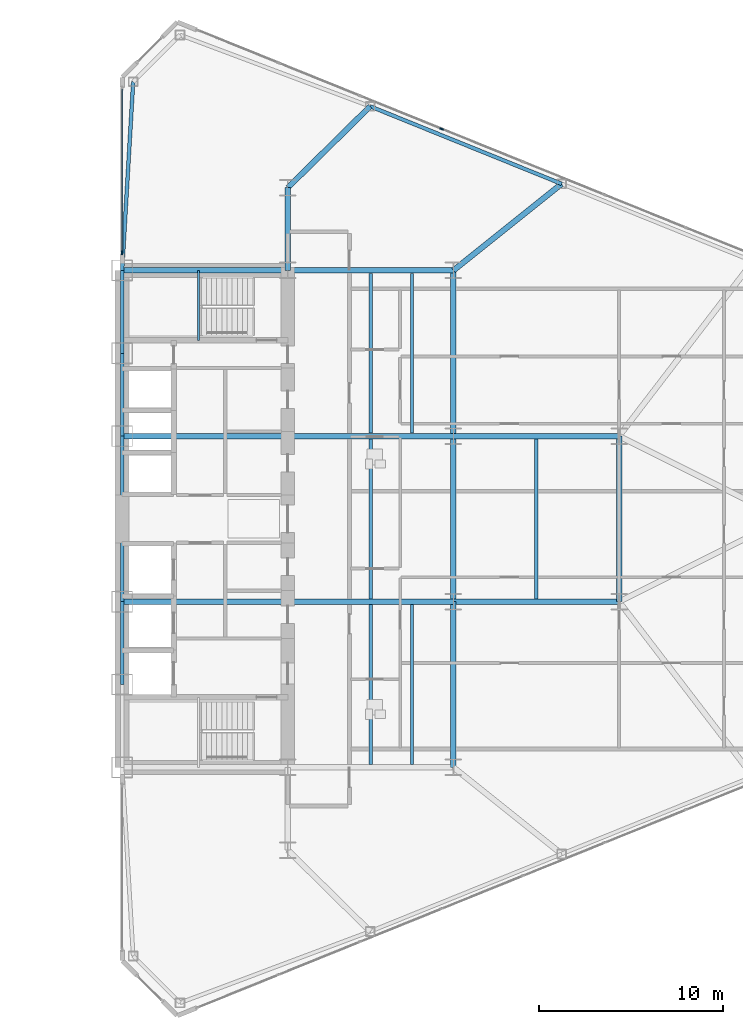
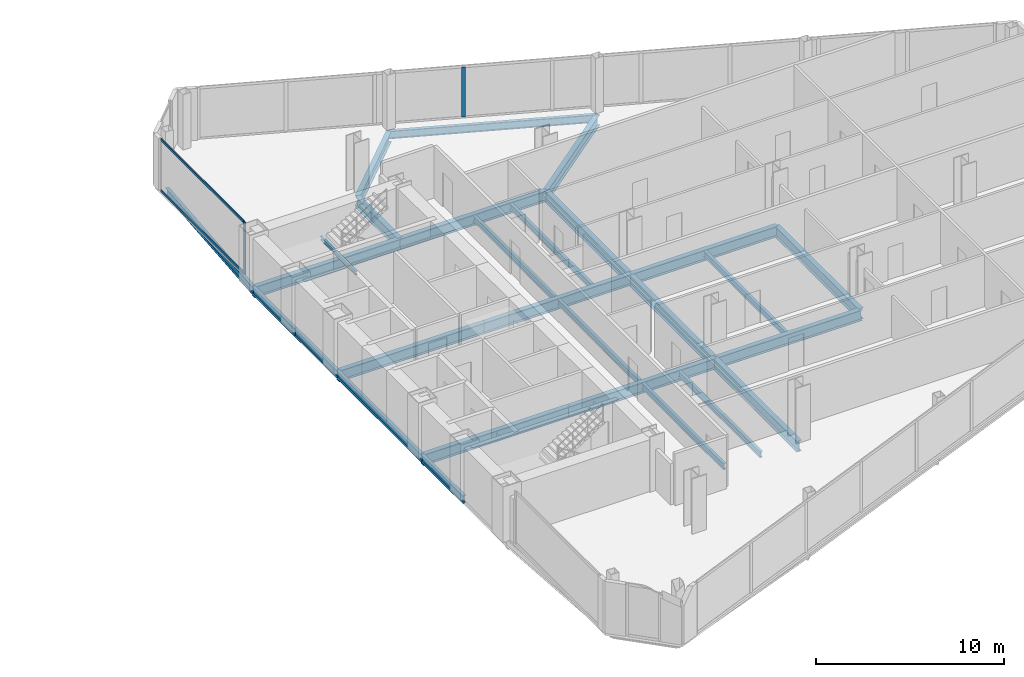
# One storey, part 11 of 25: 28 beams, 4 members, 2 elements without a shape of their own.
"""IFC4 building model written with IfcOpenShell, lengths in metres."""

from ifc_helpers import new_model, si_unit, direction, frame, origin, origin_2d, place, context, subcontext, project, spatial, rectangle, i_section, extrude, source, transform, mapped, material, layer, layer_set, material_profile, profile_set, type_object, type_shapes, element, aggregate, save


model = new_model("IFC4")

# Units and contexts
model_context = context("Model", 3, precision=1e-05, world=origin(), true_north=direction((0.0, 1.0)))
body_context = subcontext(model_context, "Body", "Model", "MODEL_VIEW")
ifc_project = project(units=[si_unit("LENGTHUNIT", "METRE"), si_unit("AREAUNIT", "SQUARE_METRE"), si_unit("VOLUMEUNIT", "CUBIC_METRE"), si_unit("PLANEANGLEUNIT", "RADIAN"), si_unit("MASSUNIT", "GRAM", prefix="KILO")], contexts=[model_context])

# Site, building, storey
site_placement = place(None, origin())
site = spatial("IfcSite", under=ifc_project, at=site_placement, CompositionType="ELEMENT")
building_placement = place(site_placement, origin())
building = spatial("IfcBuilding", under=site, at=building_placement, Name="Seokmaru Belvedere", CompositionType="ELEMENT")
storey_placement = place(building_placement, frame((0.0, 0.0, 51.300048828125)))
storey = spatial("IfcBuildingStorey", under=building, at=storey_placement, Name="L13", CompositionType="ELEMENT", Elevation=51.300048828125)

# Beams
ifc_material_1 = material(Name="Steel SM355 (355 MPa)", Category="steel")
ifc_material_profile_1 = material_profile(ifc_material_1, i_section(OverallWidth=0.199951171875, OverallDepth=0.5, WebThickness=0.010009765625, FlangeThickness=0.01611328125, at=origin_2d()), Name="H-500x200x10x16")
ifc_profile_set_1 = profile_set([ifc_material_profile_1], Name="Steel SM355 (355 MPa)")
beam_type_1 = type_object("IfcBeamType", Name="Perimeter Spandrel Beam H-500", PredefinedType="SPANDREL", material=ifc_profile_set_1)
shared_shape_1 = source(origin(), body_context, "Body", "SweptSolid", [
    extrude(i_section(OverallWidth=0.199951171875, OverallDepth=0.5, WebThickness=0.010009765625, FlangeThickness=0.01611328125, at=origin_2d()), origin(), (0.0, 0.0, 1.0), 4.5),
])
for number, where, z_axis, x_axis, name in (
    (1, (27.5, -9.0, -0.469970703125), (0.0, 1.0, 0.0), (-1.0, 0.0, 0.0), "L13 E Portal Spine Spandrel 2"),
    (2, (27.5, 4.5, -0.469970703125), (0.0, 1.0, 0.0), (-1.0, 0.0, 0.0), "L13 E Portal Spine Spandrel 4"),
    (3, (27.5, 9.0, -0.469970703125), (0.0, 1.0, 0.0), (-1.0, 0.0, 0.0), "L13 E Portal Spine Spandrel 5"),
):
    element("IfcBeam", number, at=place(storey_placement, frame(where, z_axis=z_axis, x_axis=x_axis)), inside=storey, type_object=beam_type_1, Name=name, PredefinedType="SPANDREL", context=body_context, shape_type="MappedRepresentation", body=[
        mapped(shared_shape_1, transform((0.0, 0.0, 0.0), scale=1.0)),
    ])
shared_shape_2 = source(origin(), body_context, "Body", "SweptSolid", [
    extrude(i_section(OverallWidth=0.199951171875, OverallDepth=0.5, WebThickness=0.010009765625, FlangeThickness=0.01611328125, at=origin_2d()), origin(), (0.0, 0.0, 1.0), 9.0),
])
beam_1_placement = place(storey_placement, frame((27.5, -4.5, -0.469970703125), z_axis=(0.0, 1.0, 0.0), x_axis=(-1.0, 0.0, 0.0)))
element("IfcBeam", 4, at=beam_1_placement, inside=storey, type_object=beam_type_1, Name="L13 E Portal Spine Spandrel 3", PredefinedType="SPANDREL", context=body_context, shape_type="MappedRepresentation", body=[
    mapped(shared_shape_2, transform((0.0, 0.0, 0.0), scale=1.0)),
])
ifc_material_profile_2 = material_profile(ifc_material_1, i_section(OverallWidth=0.300048828125, OverallDepth=0.699951171875, WebThickness=0.012939453125, FlangeThickness=0.02392578125, at=origin_2d()), Name="H-700x300x13x24")
ifc_profile_set_2 = profile_set([ifc_material_profile_2], Name="Steel SM355 (355 MPa)")
beam_type_2 = type_object("IfcBeamType", Name="Primary Floor Girder H-700", PredefinedType="BEAM", material=ifc_profile_set_2)
shared_shape_3 = source(origin(), body_context, "Body", "SweptSolid", [
    extrude(i_section(OverallWidth=0.300048828125, OverallDepth=0.699951171875, WebThickness=0.012939453125, FlangeThickness=0.02392578125, at=origin_2d()), origin(), (0.0, 0.0, 1.0), 4.5),
])
beam_2_placement = place(storey_placement, frame((36.5, 13.5, -0.570068359375), z_axis=(0.0, 1.0, 0.0), x_axis=(-1.0, 0.0, 0.0)))
element("IfcBeam", 5, at=beam_2_placement, inside=storey, type_object=beam_type_2, Name="L13 E Core Shoulder Girder N", PredefinedType="BEAM", context=body_context, shape_type="MappedRepresentation", body=[
    mapped(shared_shape_3, transform((0.0, 0.0, 0.0), scale=1.0)),
])
shared_shape_4 = source(origin(), body_context, "Body", "SweptSolid", [
    extrude(i_section(OverallWidth=0.300048828125, OverallDepth=0.699951171875, WebThickness=0.012939453125, FlangeThickness=0.02392578125, at=origin_2d()), origin(), (0.0, 0.0, 1.0), 9.0),
])
for number, where, z_axis, x_axis, name in (
    (6, (45.5, -13.5, -0.570068359375), (0.0, 1.0, 0.0), (-1.0, 0.0, 0.0), "L13 E Interior Grid Girder 1"),
    (7, (45.5, -4.5, -0.570068359375), (0.0, 1.0, 0.0), (-1.0, 0.0, 0.0), "L13 E Interior Grid Girder 2"),
    (8, (45.5, 4.5, -0.570068359375), (0.0, 1.0, 0.0), (-1.0, 0.0, 0.0), "L13 E Interior Grid Girder 3"),
    (9, (27.5, -4.5, -0.570068359375), (1.0, 0.0, 0.0), (0.0, 1.0, 0.0), "L13 E Core Tie Girder 2"),
    (10, (36.5, -4.5, -0.570068359375), (1.0, 0.0, 0.0), (0.0, 1.0, 0.0), "L13 E Wing Primary Girder 2"),
    (11, (27.5, 4.5, -0.570068359375), (1.0, 0.0, 0.0), (0.0, 1.0, 0.0), "L13 E Core Tie Girder 3"),
    (12, (36.5, 4.5, -0.570068359375), (1.0, 0.0, 0.0), (0.0, 1.0, 0.0), "L13 E Wing Primary Girder 3"),
    (13, (27.5, 13.5, -0.570068359375), (1.0, 0.0, 0.0), (0.0, 1.0, 0.0), "L13 E Core Tie Girder 4"),
    (14, (36.5, 13.5, -0.570068359375), (1.0, 0.0, 0.0), (0.0, 1.0, 0.0), "L13 E Wing Primary Girder 4"),
    (15, (45.5, -4.5, -0.570068359375), (1.0, 0.0, 0.0), (0.0, 1.0, 0.0), "L13 E Outer Wing Girder 1"),
    (16, (45.5, 4.5, -0.570068359375), (1.0, 0.0, 0.0), (0.0, 1.0, 0.0), "L13 E Outer Wing Girder 2"),
    (17, (54.5, -4.5, -0.570068359375), (0.0, 1.0, 0.0), (-1.0, 0.0, 0.0), "L13 E Apex Frame Girder"),
):
    element("IfcBeam", number, at=place(storey_placement, frame(where, z_axis=z_axis, x_axis=x_axis)), inside=storey, type_object=beam_type_2, Name=name, PredefinedType="BEAM", context=body_context, shape_type="MappedRepresentation", body=[
        mapped(shared_shape_4, transform((0.0, 0.0, 0.0), scale=1.0)),
    ])
ifc_material_profile_3 = material_profile(ifc_material_1, i_section(OverallWidth=0.18505859375, OverallDepth=0.389892578125, WebThickness=0.008056640625, FlangeThickness=0.011962890625, at=origin_2d()), Name="H-390x185x8x12")
ifc_profile_set_3 = profile_set([ifc_material_profile_3], Name="Steel SM355 (355 MPa)")
beam_type_3 = type_object("IfcBeamType", Name="Secondary Floor Joist H-350", PredefinedType="JOIST", material=ifc_profile_set_3)
shared_shape_5 = source(origin(), body_context, "Body", "SweptSolid", [
    extrude(i_section(OverallWidth=0.18505859375, OverallDepth=0.389892578125, WebThickness=0.008056640625, FlangeThickness=0.011962890625, at=origin_2d()), origin(), (0.0, 0.0, 1.0), 8.68994140625),
])
type_shapes(beam_type_3, [shared_shape_5])
for number, where, z_axis, x_axis, name in (
    (18, (43.25, -13.344970703125, -0.4150390625), (0.0, 1.0, 0.0), (-1.0, 0.0, 0.0), "L13 E Wing Inner Secondary Joist 1"),
    (19, (43.25, 4.655029296875, -0.4150390625), (0.0, 1.0, 0.0), (-1.0, 0.0, 0.0), "L13 E Wing Inner Secondary Joist 2"),
    (20, (41.0, -13.344970703125, -0.4150390625), (0.0, 1.0, 0.0), (-1.0, 0.0, 0.0), "L13 E Secondary Floor Joist 1"),
    (21, (41.0, -4.344970703125, -0.4150390625), (0.0, 1.0, 0.0), (-1.0, 0.0, 0.0), "L13 E Secondary Floor Joist 2"),
    (22, (41.0, 4.655029296875, -0.4150390625), (0.0, 1.0, 0.0), (-1.0, 0.0, 0.0), "L13 E Secondary Floor Joist 3"),
    (23, (50.0, -4.344970703125, -0.4150390625), (0.0, 1.0, 0.0), (-1.0, 0.0, 0.0), "L13 E Outer Bay Secondary Joist"),
):
    element("IfcBeam", number, at=place(storey_placement, frame(where, z_axis=z_axis, x_axis=x_axis)), inside=storey, type_object=beam_type_3, Name=name, PredefinedType="JOIST", context=body_context, shape_type="MappedRepresentation", body=[
        mapped(shared_shape_5, transform((0.0, 0.0, 0.0), scale=1.0)),
    ])
shared_shape_6 = source(origin(), body_context, "Body", "SweptSolid", [
    extrude(i_section(OverallWidth=0.199951171875, OverallDepth=0.5, WebThickness=0.010009765625, FlangeThickness=0.01611328125, at=origin_2d()), origin(), (0.0, 0.0, 1.0), 11.220703125),
])
beam_3_placement = place(storey_placement, frame((40.977294921875, 22.4140625, -0.469970703125), z_axis=(0.926944290816, -0.375198989503, 0.0), x_axis=(0.375198989503, 0.926944290816, 0.0)))
element("IfcBeam", 24, at=beam_3_placement, inside=storey, type_object=beam_type_1, Name="L13 E Faceted Flank Spandrel N-2", PredefinedType="SPANDREL", context=body_context, shape_type="MappedRepresentation", body=[
    mapped(shared_shape_6, transform((0.0, 0.0, 0.0), scale=1.0)),
])
shared_shape_7 = source(origin(), body_context, "Body", "SweptSolid", [
    extrude(i_section(OverallWidth=0.199951171875, OverallDepth=0.5, WebThickness=0.010009765625, FlangeThickness=0.01611328125, at=origin_2d()), origin(), (0.0, 0.0, 1.0), 10.26904296875),
])
type_shapes(beam_type_1, [shared_shape_1, shared_shape_2, shared_shape_6, shared_shape_7])
beam_4_placement = place(storey_placement, frame((28.10009765625, 23.75146484375, -0.469970703125), z_axis=(-0.058437709399, -0.998291056817, 0.0), x_axis=(0.998291056817, -0.058437709399, 0.0)))
element("IfcBeam", 25, at=beam_4_placement, inside=storey, type_object=beam_type_1, Name="L13 E Shoulder Spine Spandrel N", PredefinedType="SPANDREL", context=body_context, shape_type="MappedRepresentation", body=[
    mapped(shared_shape_7, transform((0.0, 0.0, 0.0), scale=1.0)),
])
shared_shape_8 = source(origin(), body_context, "Body", "SweptSolid", [
    extrude(i_section(OverallWidth=0.300048828125, OverallDepth=0.699951171875, WebThickness=0.012939453125, FlangeThickness=0.02392578125, at=origin_2d()), origin(), (0.0, 0.0, 1.0), 6.287353515625),
])
beam_5_placement = place(storey_placement, frame((40.977294921875, 22.4140625, -0.570068359375), z_axis=(-0.712117485263, -0.702060315915, 0.0), x_axis=(0.702060315915, -0.712117485263, 0.0)))
element("IfcBeam", 26, at=beam_5_placement, inside=storey, type_object=beam_type_2, Name="L13 E Flank Radial Floor Girder N-1", PredefinedType="BEAM", context=body_context, shape_type="MappedRepresentation", body=[
    mapped(shared_shape_8, transform((0.0, 0.0, 0.0), scale=1.0)),
])
shared_shape_9 = source(origin(), body_context, "Body", "SweptSolid", [
    extrude(i_section(OverallWidth=0.300048828125, OverallDepth=0.699951171875, WebThickness=0.012939453125, FlangeThickness=0.02392578125, at=origin_2d()), origin(), (0.0, 0.0, 1.0), 7.52880859375),
])
type_shapes(beam_type_2, [shared_shape_3, shared_shape_4, shared_shape_8, shared_shape_9])
beam_6_placement = place(storey_placement, frame((51.378173828125, 18.2041015625, -0.570068359375), z_axis=(-0.780767560736, -0.624821587418, 0.0), x_axis=(0.624821587418, -0.780767560736, 0.0)))
element("IfcBeam", 27, at=beam_6_placement, inside=storey, type_object=beam_type_2, Name="L13 E Flank Radial Floor Girder N-2", PredefinedType="BEAM", context=body_context, shape_type="MappedRepresentation", body=[
    mapped(shared_shape_9, transform((0.0, 0.0, 0.0), scale=1.0)),
])

# Curtain wall, members
ifc_material_2 = material(Name="Bronze Triple Insulating Glass", Category="glass")
ifc_layer = layer(ifc_material_2, 0.2099609375)
ifc_layer_set = layer_set([ifc_layer], Name="Bronze Triple Insulating Glass")
curtain_wall_type = type_object("IfcCurtainWallType", Name="Low-Rise Faceted Crystal Curtain Wall System CW-2", PredefinedType="NOTDEFINED", material=ifc_layer_set)
curtain_wall_1_placement = place(storey_placement, origin())
curtain_wall_1 = element("IfcCurtainWall", 28, at=curtain_wall_1_placement, inside=storey, type_object=curtain_wall_type, Name="L13 Curtain Wall ESP_2", PredefinedType="NOTDEFINED")
ifc_material_3 = material(Name="Anodised Bronze Aluminium", Category="aluminium")
ifc_material_profile_4 = material_profile(ifc_material_3, rectangle(XDim=0.070068359375, YDim=0.1650390625, at=origin_2d()), Name="CW-T-70x165")
ifc_profile_set_4 = profile_set([ifc_material_profile_4], Name="Anodised Bronze Aluminium")
member_type_1 = type_object("IfcMemberType", Name="Bronze Unitised Transom 70x165", PredefinedType="USERDEFINED", material=ifc_profile_set_4)
shared_shape_10 = source(origin(), body_context, "Body", "SweptSolid", [
    extrude(rectangle(XDim=0.070068359375, YDim=0.1650390625, at=origin_2d()), origin(), (0.0, 0.0, 1.0), 8.85009765625),
])
type_shapes(member_type_1, [shared_shape_10])
member_1_placement = place(storey_placement, frame((27.5, 23.35498046875, 0.034912109375), z_axis=(0.0, -1.0, 0.0), x_axis=(1.0, 0.0, 0.0)))
member_1 = element("IfcMember", 29, at=member_1_placement, type_object=member_type_1, Name="CW:L13:ESP_2 Continuous Transom 1", ObjectType="TRANSOM", PredefinedType="USERDEFINED", context=body_context, shape_type="MappedRepresentation", body=[
    mapped(shared_shape_10, transform((0.0, 0.0, 0.0), scale=1.0)),
])
member_2_placement = place(storey_placement, frame((27.5, 23.35498046875, 3.344970703125), z_axis=(0.0, -1.0, 0.0), x_axis=(1.0, 0.0, 0.0)))
member_2 = element("IfcMember", 30, at=member_2_placement, type_object=member_type_1, Name="CW:L13:ESP_2 Continuous Transom 2", ObjectType="TRANSOM", PredefinedType="USERDEFINED", context=body_context, shape_type="MappedRepresentation", body=[
    mapped(shared_shape_10, transform((0.0, 0.0, 0.0), scale=1.0)),
])

# Curtain wall, member
curtain_wall_2_placement = place(storey_placement, origin())
curtain_wall_2 = element("IfcCurtainWall", 31, at=curtain_wall_2_placement, inside=storey, type_object=curtain_wall_type, Name="L13 Curtain Wall EF3", PredefinedType="NOTDEFINED")
ifc_material_profile_5 = material_profile(ifc_material_3, rectangle(XDim=0.074951171875, YDim=0.2099609375, at=origin_2d()), Name="CW-M-75x210")
ifc_profile_set_5 = profile_set([ifc_material_profile_5], Name="Anodised Bronze Aluminium")
member_type_2 = type_object("IfcMemberType", Name="Bronze Unitised Mullion 75x210", PredefinedType="MULLION", material=ifc_profile_set_5)
shared_shape_11 = source(origin(), body_context, "Body", "SweptSolid", [
    extrude(rectangle(XDim=0.074951171875, YDim=0.2099609375, at=origin_2d()), origin(), (0.0, 0.0, 1.0), 3.239990234375),
])
member_3_placement = place(storey_placement, frame((44.855224609375, 21.189453125, 0.070068359375), z_axis=(0.0, 0.0, 1.0), x_axis=(-0.375192321888, -0.926946989637, 0.0)))
member_3 = element("IfcMember", 32, at=member_3_placement, type_object=member_type_2, Name="CW:L13:EF3 Mullion 7", PredefinedType="MULLION", context=body_context, shape_type="MappedRepresentation", body=[
    mapped(shared_shape_11, transform((0.0, 0.0, 0.0), scale=1.0)),
])
aggregate(curtain_wall_2, [member_3])

# Member
shared_shape_12 = source(origin(), body_context, "Body", "SweptSolid", [
    extrude(rectangle(XDim=0.074951171875, YDim=0.2099609375, at=origin_2d()), origin(), (0.0, 0.0, 1.0), 3.3798828125),
])
type_shapes(member_type_2, [shared_shape_11, shared_shape_12])
member_4_placement = place(storey_placement, frame((27.5, 14.467529296875, 0.0), z_axis=(0.0, 0.0, 1.0), x_axis=(1.0, 0.0, 0.0)))
member_4 = element("IfcMember", 33, at=member_4_placement, type_object=member_type_2, Name="CW:L13:ESP_2 Mullion 2", PredefinedType="MULLION", context=body_context, shape_type="MappedRepresentation", body=[
    mapped(shared_shape_12, transform((0.0, 0.0, 0.0), scale=1.0)),
])

aggregate(curtain_wall_1, [member_4, member_1, member_2])

# Beam
ifc_material_profile_6 = material_profile(ifc_material_1, i_section(OverallWidth=0.125, OverallDepth=0.25, WebThickness=0.006103515625, FlangeThickness=0.009033203125, at=origin_2d()), Name="H-250x125x6x9")
ifc_profile_set_6 = profile_set([ifc_material_profile_6], Name="Steel SM355 (355 MPa)")
beam_type_4 = type_object("IfcBeamType", Name="Stair Mid-Landing Support Beam H-250", PredefinedType="JOIST", material=ifc_profile_set_6)
shared_shape_13 = source(origin(), body_context, "Body", "SweptSolid", [
    extrude(i_section(OverallWidth=0.125, OverallDepth=0.25, WebThickness=0.006103515625, FlangeThickness=0.009033203125, at=origin_2d()), origin(), (0.0, 0.0, 1.0), 3.800048828125),
])
type_shapes(beam_type_4, [shared_shape_13])
beam_7_placement = place(storey_placement, frame((31.64990234375, 9.699951171875, 1.474853515625), z_axis=(0.0, 1.0, 0.0), x_axis=(-1.0, 0.0, 0.0)))
element("IfcBeam", 34, at=beam_7_placement, inside=storey, type_object=beam_type_4, Name="L13 Stair ST-E2 Mid-Landing Support Beam 1", PredefinedType="JOIST", context=body_context, shape_type="MappedRepresentation", body=[
    mapped(shared_shape_13, transform((0.0, 0.0, 0.0), scale=1.0)),
])

save(model, "model.ifc")
